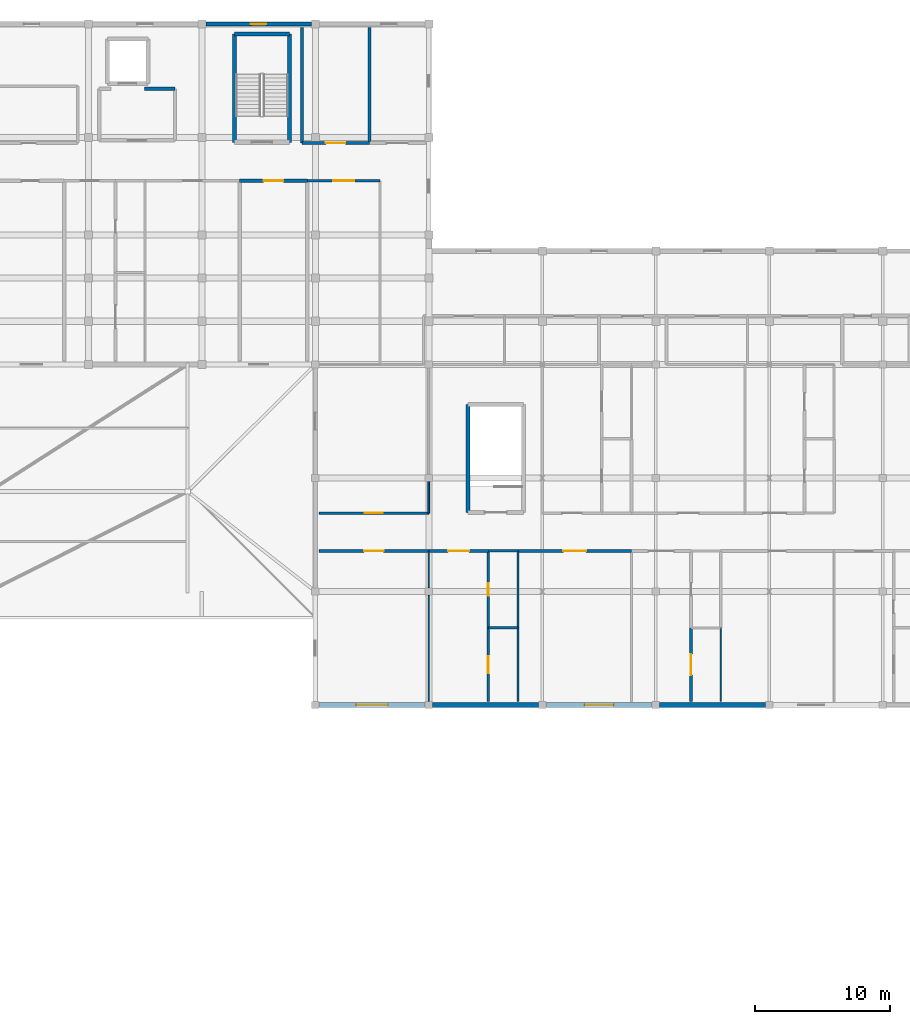
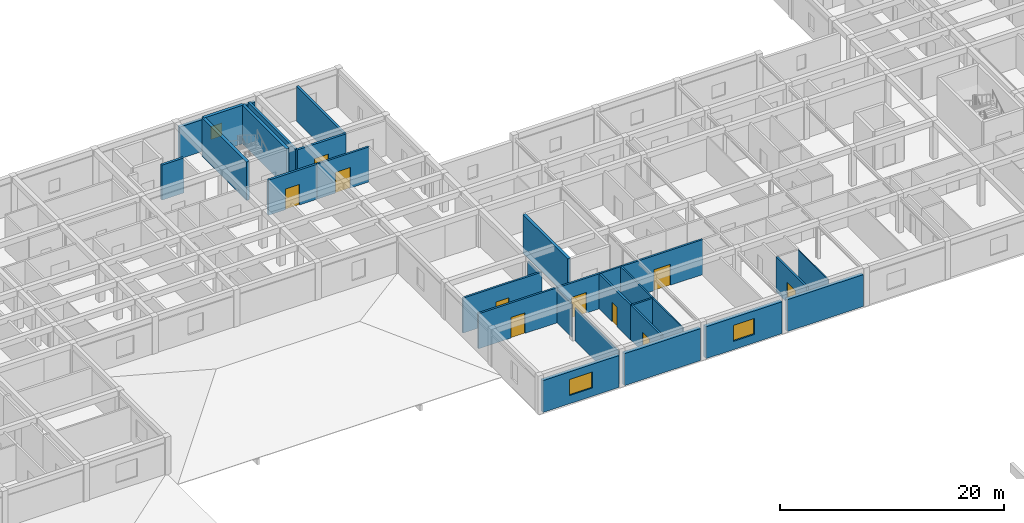
# One storey, part 18 of 42: 30 walls, 10 doors, 3 windows, 13 openings.
"""IFC4 building model written with IfcOpenShell, lengths in metres."""

from ifc_helpers import new_model, si_unit, direction, frame, frame_2d, origin, place, context, subcontext, project, spatial, rectangle, extrude, material, layer, layer_set, type_object, element, fill, save


model = new_model("IFC4")

# Units and contexts
model_context = context("Model", 3, precision=1e-05, world=origin(), true_north=direction((0.0, 1.0)))
body_context = subcontext(model_context, "Body", "Model", "MODEL_VIEW")
ifc_project = project(units=[si_unit("LENGTHUNIT", "METRE"), si_unit("AREAUNIT", "SQUARE_METRE"), si_unit("VOLUMEUNIT", "CUBIC_METRE"), si_unit("PLANEANGLEUNIT", "RADIAN"), si_unit("MASSUNIT", "GRAM", prefix="KILO")], contexts=[model_context])

# Site, building, storey
site_placement = place(None, origin())
site = spatial("IfcSite", under=ifc_project, at=site_placement, CompositionType="ELEMENT")
building_placement = place(site_placement, origin())
building = spatial("IfcBuilding", under=site, at=building_placement, Name="Varncliffe General Hospital", CompositionType="ELEMENT")
storey_placement = place(building_placement, frame((0.0, 0.0, 20.39990234375)))
storey = spatial("IfcBuildingStorey", under=building, at=storey_placement, Name="L04", CompositionType="ELEMENT", Elevation=20.39990234375)

# Wall, opening, window
ifc_material_1 = material(Name="Precast concrete C40/50 with insulated cream lime-cement stucco", Category="concrete")
ifc_layer_1 = layer(ifc_material_1, 0.31005859375)
ifc_layer_set_1 = layer_set([ifc_layer_1], Name="Precast concrete C40/50 with insulated cream lime-cement stucco")
wall_type_1 = type_object("IfcWallType", Name="Exterior Insulated Stucco Wall EW20 (310mm)", PredefinedType="SOLIDWALL", material=ifc_layer_set_1)
wall_1_placement = place(storey_placement, frame((50.697998046875, 124.800048828125, 0.0), z_axis=(0.0, 0.0, 1.0), x_axis=(1.0, 0.0, 0.0)))
wall_1 = element("IfcWall", 1, at=wall_1_placement, inside=storey, type_object=wall_type_1, Name="L04 Exterior Stucco Wall EW20-353", PredefinedType="SOLIDWALL", context=body_context, shape_type="SweptSolid", body=[
    extrude(rectangle(XDim=7.803955078125, YDim=0.31005859375, at=frame_2d((3.90185546875, 0.0))), origin(), (0.0, 0.0, 1.0), 3.47998046875),
])
opening_1_placement = place(wall_1_placement, frame((3.326904296875, 0.0, 0.89990234375)))
opening_1 = element("IfcOpeningElement", 2, at=opening_1_placement, cuts=wall_1, Name="Opening WN62", PredefinedType="OPENING", context=body_context, shape_type="SweptSolid", body=[
    extrude(rectangle(XDim=1.14990234375, YDim=1.39990234375, at=frame_2d((0.574951171875, 0.699951171875))), frame((0.0, 0.1650390625, 0.0), z_axis=(0.0, -1.0, 0.0), x_axis=(1.0, 0.0, 0.0)), (0.0, 0.0, 1.0), 0.330078125),
])
ifc_material_2 = material(Name="Triple low-E argon insulated vision glazing", Category="glass")
window_type_1 = type_object("IfcWindowType", Name="Triple-Glazed Hospital Window WN62 (1150x1400)", PartitioningType="SINGLE_PANEL", PredefinedType="WINDOW", material=ifc_material_2)
window_1_placement = place(opening_1_placement, origin())
window_1 = element("IfcWindow", 3, at=window_1_placement, inside=storey, type_object=window_type_1, Name="L04 Hospital Window WN62-263", OverallHeight=1.39990234375, OverallWidth=1.14990234375, PartitioningType="SINGLE_PANEL", PredefinedType="WINDOW", context=body_context, shape_type="SweptSolid", body=[
    extrude(rectangle(XDim=1.14990234375, YDim=1.39990234375, at=frame_2d((0.574951171875, 0.699951171875))), frame((0.0, 0.030029296875, 0.0), z_axis=(0.0, -1.0, 0.0), x_axis=(1.0, 0.0, 0.0)), (0.0, 0.0, 1.0), 0.06005859375),
])
fill(opening_1, window_1)

# Walls
ifc_layer_2 = layer(ifc_material_1, 0.3798828125)
ifc_layer_set_2 = layer_set([ifc_layer_2], Name="Precast concrete C40/50 with insulated cream lime-cement stucco")
wall_type_2 = type_object("IfcWallType", Name="Exterior Insulated Stucco Wall EW26 (380mm)", PredefinedType="SOLIDWALL", material=ifc_layer_set_2)
wall_2_placement = place(storey_placement, frame((75.326904296875, 74.39990234375, 0.0), z_axis=(0.0, 0.0, 1.0), x_axis=(-1.0, 0.0, 0.0)))
element("IfcWall", 4, at=wall_2_placement, inside=storey, type_object=wall_type_2, Name="L04 Exterior Stucco Wall EW26-326", PredefinedType="SOLIDWALL", context=body_context, shape_type="SweptSolid", body=[
    extrude(rectangle(XDim=7.85400390625, YDim=0.3798828125, at=frame_2d((3.927001953125, 0.0))), origin(), (0.0, 0.0, 1.0), 3.47998046875),
])
ifc_layer_3 = layer(ifc_material_1, 0.35009765625)
ifc_layer_set_3 = layer_set([ifc_layer_3], Name="Precast concrete C40/50 with insulated cream lime-cement stucco")
wall_type_3 = type_object("IfcWallType", Name="Exterior Insulated Stucco Wall EW37 (350mm)", PredefinedType="SOLIDWALL", material=ifc_layer_set_3)
wall_3_placement = place(storey_placement, frame((92.126953125, 74.39990234375, 0.0), z_axis=(0.0, 0.0, 1.0), x_axis=(-1.0, 0.0, 0.0)))
element("IfcWall", 5, at=wall_3_placement, inside=storey, type_object=wall_type_3, Name="L04 Exterior Stucco Wall EW37-324", PredefinedType="SOLIDWALL", context=body_context, shape_type="SweptSolid", body=[
    extrude(rectangle(XDim=7.85400390625, YDim=0.35009765625, at=frame_2d((3.927001953125, 0.0))), origin(), (0.0, 0.0, 1.0), 3.47998046875),
])

# Wall, opening, window
wall_4_placement = place(storey_placement, frame((66.927001953125, 74.39990234375, 0.0), z_axis=(0.0, 0.0, 1.0), x_axis=(-1.0, 0.0, 0.0)))
wall_4 = element("IfcWall", 6, at=wall_4_placement, inside=storey, type_object=wall_type_3, Name="L04 Exterior Stucco Wall EW37-327", PredefinedType="SOLIDWALL", context=body_context, shape_type="SweptSolid", body=[
    extrude(rectangle(XDim=7.85400390625, YDim=0.35009765625, at=frame_2d((3.927001953125, 0.0))), origin(), (0.0, 0.0, 1.0), 3.47998046875),
])
opening_2_placement = place(wall_4_placement, frame((2.751953125, 0.0, 0.89990234375)))
opening_2 = element("IfcOpeningElement", 7, at=opening_2_placement, cuts=wall_4, Name="Opening WN31", PredefinedType="OPENING", context=body_context, shape_type="SweptSolid", body=[
    extrude(rectangle(XDim=2.35009765625, YDim=1.75, at=frame_2d((1.175048828125, 0.875))), frame((0.0, 0.18505859375, 0.0), z_axis=(0.0, -1.0, 0.0), x_axis=(1.0, 0.0, 0.0)), (0.0, 0.0, 1.0), 0.3701171875),
])
window_type_2 = type_object("IfcWindowType", Name="Triple-Glazed Hospital Window WN31 (2350x1750)", PartitioningType="DOUBLE_PANEL_VERTICAL", PredefinedType="WINDOW", material=ifc_material_2)
window_2_placement = place(opening_2_placement, origin())
window_2 = element("IfcWindow", 8, at=window_2_placement, inside=storey, type_object=window_type_2, Name="L04 Hospital Window WN31-243", OverallHeight=1.75, OverallWidth=2.35009765625, PartitioningType="DOUBLE_PANEL_VERTICAL", PredefinedType="WINDOW", context=body_context, shape_type="SweptSolid", body=[
    extrude(rectangle(XDim=2.35009765625, YDim=1.75, at=frame_2d((1.175048828125, 0.875))), frame((0.0, 0.030029296875, 0.0), z_axis=(0.0, -1.0, 0.0), x_axis=(1.0, 0.0, 0.0)), (0.0, 0.0, 1.0), 0.06005859375),
])
fill(opening_2, window_2)

ifc_layer_4 = layer(ifc_material_1, 0.39990234375)
ifc_layer_set_4 = layer_set([ifc_layer_4], Name="Precast concrete C40/50 with insulated cream lime-cement stucco")
wall_type_4 = type_object("IfcWallType", Name="Exterior Insulated Stucco Wall EW47 (400mm)", PredefinedType="SOLIDWALL", material=ifc_layer_set_4)
wall_5_placement = place(storey_placement, frame((83.72705078125, 74.39990234375, 0.0), z_axis=(0.0, 0.0, 1.0), x_axis=(-1.0, 0.0, 0.0)))
wall_5 = element("IfcWall", 9, at=wall_5_placement, inside=storey, type_object=wall_type_4, Name="L04 Exterior Stucco Wall EW47-325", PredefinedType="SOLIDWALL", context=body_context, shape_type="SweptSolid", body=[
    extrude(rectangle(XDim=7.85400390625, YDim=0.39990234375, at=frame_2d((3.927001953125, 0.0))), origin(), (0.0, 0.0, 1.0), 3.47998046875),
])
opening_3_placement = place(wall_5_placement, frame((2.85205078125, 0.0, 0.89990234375)))
opening_3 = element("IfcOpeningElement", 10, at=opening_3_placement, cuts=wall_5, Name="Opening WN63", PredefinedType="OPENING", context=body_context, shape_type="SweptSolid", body=[
    extrude(rectangle(XDim=2.14990234375, YDim=1.75, at=frame_2d((1.074951171875, 0.875))), frame((0.0, 0.2099609375, 0.0), z_axis=(0.0, -1.0, 0.0), x_axis=(1.0, 0.0, 0.0)), (0.0, 0.0, 1.0), 0.419921875),
])
window_type_3 = type_object("IfcWindowType", Name="Triple-Glazed Hospital Window WN63 (2150x1750)", PartitioningType="DOUBLE_PANEL_VERTICAL", PredefinedType="WINDOW", material=ifc_material_2)
window_3_placement = place(opening_3_placement, origin())
window_3 = element("IfcWindow", 11, at=window_3_placement, inside=storey, type_object=window_type_3, Name="L04 Hospital Window WN63-242", OverallHeight=1.75, OverallWidth=2.14990234375, PartitioningType="DOUBLE_PANEL_VERTICAL", PredefinedType="WINDOW", context=body_context, shape_type="SweptSolid", body=[
    extrude(rectangle(XDim=2.14990234375, YDim=1.75, at=frame_2d((1.074951171875, 0.875))), frame((0.0, 0.030029296875, 0.0), z_axis=(0.0, -1.0, 0.0), x_axis=(1.0, 0.0, 0.0)), (0.0, 0.0, 1.0), 0.06005859375),
])
fill(opening_3, window_3)

# Walls
ifc_material_3 = material(Name="Acoustic clinical gypsum stud partition assembly", Category="gypsum")
ifc_layer_5 = layer(ifc_material_3, 0.1298828125)
ifc_layer_set_5 = layer_set([ifc_layer_5], Name="Acoustic clinical gypsum stud partition assembly")
wall_type_5 = type_object("IfcWallType", Name="Interior Partitioning IW11 (130mm)", PredefinedType="PARTITIONING", material=ifc_layer_set_5)
wall_6_placement = place(storey_placement, frame((67.199951171875, 88.60009765625, 0.0), z_axis=(0.0, 0.0, 1.0), x_axis=(0.0, 1.0, 0.0)))
element("IfcWall", 12, at=wall_6_placement, inside=storey, type_object=wall_type_5, Name="L04 Interior Partition Wall IW11-1884", PredefinedType="PARTITIONING", context=body_context, shape_type="SweptSolid", body=[
    extrude(rectangle(XDim=2.309814453125, YDim=0.1298828125, at=frame_2d((1.15478515625, 0.0))), origin(), (0.0, 0.0, 1.0), 3.585205078125),
])
wall_7_placement = place(storey_placement, frame((73.800048828125, 74.659912109375, 0.0), z_axis=(0.0, 0.0, 1.0), x_axis=(0.0, 1.0, 0.0)))
element("IfcWall", 13, at=wall_7_placement, inside=storey, type_object=wall_type_5, Name="L04 Interior Partition Wall IW11-1888", PredefinedType="PARTITIONING", context=body_context, shape_type="SweptSolid", body=[
    extrude(rectangle(XDim=5.440185546875, YDim=0.1298828125, at=frame_2d((2.72021484375, 0.0))), origin(), (0.0, 0.0, 1.0), 3.820068359375),
])
ifc_layer_6 = layer(ifc_material_3, 0.090087890625)
ifc_layer_set_6 = layer_set([ifc_layer_6], Name="Acoustic clinical gypsum stud partition assembly")
wall_type_6 = type_object("IfcWallType", Name="Interior Partitioning IW42 (90mm)", PredefinedType="PARTITIONING", material=ifc_layer_set_6)
wall_8_placement = place(storey_placement, frame((67.199951171875, 74.68994140625, 0.0), z_axis=(0.0, 0.0, 1.0), x_axis=(0.0, 1.0, 0.0)))
element("IfcWall", 14, at=wall_8_placement, inside=storey, type_object=wall_type_6, Name="L04 Interior Partition Wall IW42-1881", PredefinedType="PARTITIONING", context=body_context, shape_type="SweptSolid", body=[
    extrude(rectangle(XDim=7.820068359375, YDim=0.090087890625, at=frame_2d((3.91015625, 0.0))), origin(), (0.0, 0.0, 1.0), 3.585205078125),
])
wall_9_placement = place(storey_placement, frame((67.199951171875, 83.090087890625, 0.0), z_axis=(0.0, 0.0, 1.0), x_axis=(0.0, 1.0, 0.0)))
element("IfcWall", 15, at=wall_9_placement, inside=storey, type_object=wall_type_6, Name="L04 Interior Partition Wall IW42-1882", PredefinedType="PARTITIONING", context=body_context, shape_type="SweptSolid", body=[
    extrude(rectangle(XDim=2.7099609375, YDim=0.090087890625, at=frame_2d((1.35498046875, 0.0))), origin(), (0.0, 0.0, 1.0), 3.585205078125),
])
wall_10_placement = place(storey_placement, frame((88.800048828125, 74.659912109375, 0.0), z_axis=(0.0, 0.0, 1.0), x_axis=(0.0, 1.0, 0.0)))
element("IfcWall", 16, at=wall_10_placement, inside=storey, type_object=wall_type_6, Name="L04 Interior Partition Wall IW42-1901", PredefinedType="PARTITIONING", context=body_context, shape_type="SweptSolid", body=[
    extrude(rectangle(XDim=5.440185546875, YDim=0.090087890625, at=frame_2d((2.72021484375, 0.0))), origin(), (0.0, 0.0, 1.0), 3.820068359375),
])
ifc_material_4 = material(Name="Fire-rated gypsum and mineral-wool partition assembly", Category="gypsum")
ifc_layer_7 = layer(ifc_material_4, 0.25)
ifc_layer_set_7 = layer_set([ifc_layer_7], Name="Fire-rated gypsum and mineral-wool partition assembly")
wall_type_7 = type_object("IfcWallType", Name="Interior Partitioning PW38 (250mm)", PredefinedType="PARTITIONING", material=ifc_layer_set_7)
wall_11_placement = place(storey_placement, frame((46.135986328125, 120.0, 0.0), z_axis=(0.0, 0.0, 1.0), x_axis=(1.0, 0.0, 0.0)))
element("IfcWall", 17, at=wall_11_placement, inside=storey, type_object=wall_type_7, Name="L04 Interior Partition Wall PW38-1829", PredefinedType="PARTITIONING", context=body_context, shape_type="SweptSolid", body=[
    extrude(rectangle(XDim=2.263916015625, YDim=0.25, at=frame_2d((1.1318359375, 0.0))), origin(), (0.0, 0.0, 1.0), 3.820068359375),
])

# Wall, opening, door
ifc_layer_8 = layer(ifc_material_4, 0.22998046875)
ifc_layer_set_8 = layer_set([ifc_layer_8], Name="Fire-rated gypsum and mineral-wool partition assembly")
wall_type_8 = type_object("IfcWallType", Name="Interior Partitioning PW48 (230mm)", PredefinedType="PARTITIONING", material=ifc_layer_set_8)
wall_12_placement = place(storey_placement, frame((53.199951171875, 113.199951171875, 0.0), z_axis=(0.0, 0.0, 1.0), x_axis=(1.0, 0.0, 0.0)))
wall_12 = element("IfcWall", 18, at=wall_12_placement, inside=storey, type_object=wall_type_8, Name="L04 Interior Partition Wall PW48-1796", PredefinedType="PARTITIONING", context=body_context, shape_type="SweptSolid", body=[
    extrude(rectangle(XDim=5.0, YDim=0.22998046875, at=frame_2d((2.5, 0.0))), origin(), (0.0, 0.0, 1.0), 3.820068359375),
])
opening_4_placement = place(wall_12_placement, frame((1.77490234375, 0.0, 0.0)))
opening_4 = element("IfcOpeningElement", 19, at=opening_4_placement, cuts=wall_12, Name="Opening DC66", PredefinedType="OPENING", context=body_context, shape_type="SweptSolid", body=[
    extrude(rectangle(XDim=1.449951171875, YDim=2.25, at=frame_2d((0.72509765625, 1.125))), frame((0.0, 0.125, 0.0), z_axis=(0.0, -1.0, 0.0), x_axis=(1.0, 0.0, 0.0)), (0.0, 0.0, 1.0), 0.25),
])
ifc_material_5 = material(Name="Fire-rated hospital steel-frame vision-panel door", Category="steel")
door_type_1 = type_object("IfcDoorType", Name="Interior Hospital Door DC66 (1450x2250)", OperationType="NOTDEFINED", PredefinedType="DOOR", material=ifc_material_5)
door_1_placement = place(opening_4_placement, frame((1.449951171875, 0.0, 0.0), z_axis=(0.0, 0.0, 1.0), x_axis=(-1.0, 0.0, 0.0)))
door_1 = element("IfcDoor", 20, at=door_1_placement, inside=storey, type_object=door_type_1, Name="L04 Ward Soiled Utility Store 93 Door", OperationType="SINGLE_SWING_LEFT", OverallHeight=2.25, OverallWidth=1.449951171875, PredefinedType="DOOR", context=body_context, shape_type="SweptSolid", body=[
    extrude(rectangle(XDim=1.449951171875, YDim=2.25, at=frame_2d((0.72509765625, 1.125))), frame((0.0, 0.02490234375, 0.0), z_axis=(0.0, -1.0, 0.0), x_axis=(1.0, 0.0, 0.0)), (0.0, 0.0, 1.0), 0.050048828125),
])
fill(opening_4, door_1)

wall_13_placement = place(storey_placement, frame((57.800048828125, 116.0, 0.0), z_axis=(0.0, 0.0, 1.0), x_axis=(1.0, 0.0, 0.0)))
wall_13 = element("IfcWall", 21, at=wall_13_placement, inside=storey, type_object=wall_type_8, Name="L04 Interior Partition Wall PW48-1814", PredefinedType="PARTITIONING", context=body_context, shape_type="SweptSolid", body=[
    extrude(rectangle(XDim=5.0, YDim=0.22998046875, at=frame_2d((2.5, 0.0))), origin(), (0.0, 0.0, 1.0), 3.820068359375),
])
opening_5_placement = place(wall_13_placement, frame((1.77490234375, 0.0, 0.0)))
opening_5 = element("IfcOpeningElement", 22, at=opening_5_placement, cuts=wall_13, Name="Opening DC66", PredefinedType="OPENING", context=body_context, shape_type="SweptSolid", body=[
    extrude(rectangle(XDim=1.449951171875, YDim=2.25, at=frame_2d((0.72509765625, 1.125))), frame((0.0, 0.125, 0.0), z_axis=(0.0, -1.0, 0.0), x_axis=(1.0, 0.0, 0.0)), (0.0, 0.0, 1.0), 0.25),
])
door_2_placement = place(opening_5_placement, origin())
door_2 = element("IfcDoor", 23, at=door_2_placement, inside=storey, type_object=door_type_1, Name="L04 Ward Soiled Utility Store 113 Door", OperationType="SINGLE_SWING_LEFT", OverallHeight=2.25, OverallWidth=1.449951171875, PredefinedType="DOOR", context=body_context, shape_type="SweptSolid", body=[
    extrude(rectangle(XDim=1.449951171875, YDim=2.25, at=frame_2d((0.72509765625, 1.125))), frame((0.0, 0.02490234375, 0.0), z_axis=(0.0, -1.0, 0.0), x_axis=(1.0, 0.0, 0.0)), (0.0, 0.0, 1.0), 0.050048828125),
])
fill(opening_5, door_2)

# Walls
for number, where, z_axis, x_axis, name in (
    (24, (57.800048828125, 116.0, 0.0), (0.0, 0.0, 1.0), (0.0, 1.0, 0.0), "L04 Interior Partition Wall PW48-1876"),
    (25, (62.800048828125, 116.0, 0.0), (0.0, 0.0, 1.0), (0.0, 1.0, 0.0), "L04 Interior Partition Wall PW48-1878"),
):
    element("IfcWall", number, at=place(storey_placement, frame(where, z_axis=z_axis, x_axis=x_axis)), inside=storey, type_object=wall_type_8, Name=name, PredefinedType="PARTITIONING", context=body_context, shape_type="SweptSolid", body=[
        extrude(rectangle(XDim=8.5400390625, YDim=0.22998046875, at=frame_2d((4.27001953125, 0.0))), origin(), (0.0, 0.0, 1.0), 3.820068359375),
    ])

# Wall, opening, door
ifc_layer_9 = layer(ifc_material_4, 0.199951171875)
ifc_layer_set_9 = layer_set([ifc_layer_9], Name="Fire-rated gypsum and mineral-wool partition assembly")
wall_type_9 = type_object("IfcWallType", Name="Interior Partitioning PW63 (200mm)", PredefinedType="PARTITIONING", material=ifc_layer_set_9)
wall_14_placement = place(storey_placement, frame((59.06005859375, 85.800048828125, 0.0), z_axis=(0.0, 0.0, 1.0), x_axis=(1.0, 0.0, 0.0)))
wall_14 = element("IfcWall", 26, at=wall_14_placement, inside=storey, type_object=wall_type_9, Name="L04 Interior Partition Wall PW63-1698", PredefinedType="PARTITIONING", context=body_context, shape_type="SweptSolid", body=[
    extrude(rectangle(XDim=8.139892578125, YDim=0.199951171875, at=frame_2d((4.06982421875, 0.0))), origin(), (0.0, 0.0, 1.0), 3.820068359375),
])
opening_6_placement = place(wall_14_placement, frame((3.344970703125, 0.0, 0.0)))
opening_6 = element("IfcOpeningElement", 27, at=opening_6_placement, cuts=wall_14, Name="Opening DC66", PredefinedType="OPENING", context=body_context, shape_type="SweptSolid", body=[
    extrude(rectangle(XDim=1.449951171875, YDim=2.25, at=frame_2d((0.72509765625, 1.125))), frame((0.0, 0.10986328125, 0.0), z_axis=(0.0, -1.0, 0.0), x_axis=(1.0, 0.0, 0.0)), (0.0, 0.0, 1.0), 0.219970703125),
])
door_3_placement = place(opening_6_placement, frame((1.449951171875, 0.0, 0.0), z_axis=(0.0, 0.0, 1.0), x_axis=(-1.0, 0.0, 0.0)))
door_3 = element("IfcDoor", 28, at=door_3_placement, inside=storey, type_object=door_type_1, Name="L04 Perinatal Caesarean Surgical Theatre 29 Door", OperationType="SINGLE_SWING_RIGHT", OverallHeight=2.25, OverallWidth=1.449951171875, PredefinedType="DOOR", context=body_context, shape_type="SweptSolid", body=[
    extrude(rectangle(XDim=1.449951171875, YDim=2.25, at=frame_2d((0.72509765625, 1.125))), frame((0.0, 0.02490234375, 0.0), z_axis=(0.0, -1.0, 0.0), x_axis=(1.0, 0.0, 0.0)), (0.0, 0.0, 1.0), 0.050048828125),
])
fill(opening_6, door_3)

wall_15_placement = place(storey_placement, frame((67.199951171875, 85.800048828125, 0.0), z_axis=(0.0, 0.0, 1.0), x_axis=(1.0, 0.0, 0.0)))
wall_15 = element("IfcWall", 29, at=wall_15_placement, inside=storey, type_object=wall_type_9, Name="L04 Interior Partition Wall PW63-1699", PredefinedType="PARTITIONING", context=body_context, shape_type="SweptSolid", body=[
    extrude(rectangle(XDim=4.400146484375, YDim=0.199951171875, at=frame_2d((2.2001953125, 0.0))), origin(), (0.0, 0.0, 1.0), 3.820068359375),
])
opening_7_placement = place(wall_15_placement, frame((1.425048828125, 0.0, 0.0)))
opening_7 = element("IfcOpeningElement", 30, at=opening_7_placement, cuts=wall_15, Name="Opening DC67", PredefinedType="OPENING", context=body_context, shape_type="SweptSolid", body=[
    extrude(rectangle(XDim=1.550048828125, YDim=2.25, at=frame_2d((0.77490234375, 1.125))), frame((0.0, 0.10986328125, 0.0), z_axis=(0.0, -1.0, 0.0), x_axis=(1.0, 0.0, 0.0)), (0.0, 0.0, 1.0), 0.219970703125),
])
door_type_2 = type_object("IfcDoorType", Name="Interior Hospital Door DC67 (1550x2250)", OperationType="NOTDEFINED", PredefinedType="DOOR", material=ifc_material_5)
door_4_placement = place(opening_7_placement, frame((1.550048828125, 0.0, 0.0), z_axis=(0.0, 0.0, 1.0), x_axis=(-1.0, 0.0, 0.0)))
door_4 = element("IfcDoor", 31, at=door_4_placement, inside=storey, type_object=door_type_2, Name="L04 Interventional Short-Stay Recovery Room 30 Door", OperationType="SINGLE_SWING_LEFT", OverallHeight=2.25, OverallWidth=1.550048828125, PredefinedType="DOOR", context=body_context, shape_type="SweptSolid", body=[
    extrude(rectangle(XDim=1.550048828125, YDim=2.25, at=frame_2d((0.77490234375, 1.125))), frame((0.0, 0.02490234375, 0.0), z_axis=(0.0, -1.0, 0.0), x_axis=(1.0, 0.0, 0.0)), (0.0, 0.0, 1.0), 0.050048828125),
])
fill(opening_7, door_4)

wall_16_placement = place(storey_placement, frame((73.800048828125, 85.800048828125, 0.0), z_axis=(0.0, 0.0, 1.0), x_axis=(1.0, 0.0, 0.0)))
wall_16 = element("IfcWall", 32, at=wall_16_placement, inside=storey, type_object=wall_type_9, Name="L04 Interior Partition Wall PW63-1701", PredefinedType="PARTITIONING", context=body_context, shape_type="SweptSolid", body=[
    extrude(rectangle(XDim=8.39990234375, YDim=0.199951171875, at=frame_2d((4.199951171875, 0.0))), origin(), (0.0, 0.0, 1.0), 3.820068359375),
])
opening_8_placement = place(wall_16_placement, frame((3.35009765625, 0.0, 0.0)))
opening_8 = element("IfcOpeningElement", 33, at=opening_8_placement, cuts=wall_16, Name="Opening DC50", PredefinedType="OPENING", context=body_context, shape_type="SweptSolid", body=[
    extrude(rectangle(XDim=1.699951171875, YDim=2.300048828125, at=frame_2d((0.85009765625, 1.14990234375))), frame((0.0, 0.10986328125, 0.0), z_axis=(0.0, -1.0, 0.0), x_axis=(1.0, 0.0, 0.0)), (0.0, 0.0, 1.0), 0.219970703125),
])
door_type_3 = type_object("IfcDoorType", Name="Interior Hospital Door DC50 (1700x2300)", OperationType="NOTDEFINED", PredefinedType="DOOR", material=ifc_material_5)
door_5_placement = place(opening_8_placement, frame((1.699951171875, 0.0, 0.0), z_axis=(0.0, 0.0, 1.0), x_axis=(-1.0, 0.0, 0.0)))
door_5 = element("IfcDoor", 34, at=door_5_placement, inside=storey, type_object=door_type_3, Name="L04 Perinatal Caesarean Surgical Theatre 33 Door", OperationType="SINGLE_SWING_RIGHT", OverallHeight=2.300048828125, OverallWidth=1.699951171875, PredefinedType="DOOR", context=body_context, shape_type="SweptSolid", body=[
    extrude(rectangle(XDim=1.699951171875, YDim=2.300048828125, at=frame_2d((0.85009765625, 1.14990234375))), frame((0.0, 0.02490234375, 0.0), z_axis=(0.0, -1.0, 0.0), x_axis=(1.0, 0.0, 0.0)), (0.0, 0.0, 1.0), 0.050048828125),
])
fill(opening_8, door_5)

wall_17_placement = place(storey_placement, frame((59.06005859375, 88.60009765625, 0.0), z_axis=(0.0, 0.0, 1.0), x_axis=(1.0, 0.0, 0.0)))
wall_17 = element("IfcWall", 35, at=wall_17_placement, inside=storey, type_object=wall_type_9, Name="L04 Interior Partition Wall PW63-1714", PredefinedType="PARTITIONING", context=body_context, shape_type="SweptSolid", body=[
    extrude(rectangle(XDim=8.139892578125, YDim=0.199951171875, at=frame_2d((4.06982421875, 0.0))), origin(), (0.0, 0.0, 1.0), 3.820068359375),
])
opening_9_placement = place(wall_17_placement, frame((3.39501953125, 0.0, 0.0)))
opening_9 = element("IfcOpeningElement", 36, at=opening_9_placement, cuts=wall_17, Name="Opening DC85", PredefinedType="OPENING", context=body_context, shape_type="SweptSolid", body=[
    extrude(rectangle(XDim=1.35009765625, YDim=2.199951171875, at=frame_2d((0.675048828125, 1.10009765625))), frame((0.0, 0.10986328125, 0.0), z_axis=(0.0, -1.0, 0.0), x_axis=(1.0, 0.0, 0.0)), (0.0, 0.0, 1.0), 0.219970703125),
])
door_type_4 = type_object("IfcDoorType", Name="Interior Hospital Door DC85 (1350x2200)", OperationType="NOTDEFINED", PredefinedType="DOOR", material=ifc_material_5)
door_6_placement = place(opening_9_placement, origin())
door_6 = element("IfcDoor", 37, at=door_6_placement, inside=storey, type_object=door_type_4, Name="L04 Perinatal Caesarean Surgical Theatre 48 Door", OperationType="SINGLE_SWING_LEFT", OverallHeight=2.199951171875, OverallWidth=1.35009765625, PredefinedType="DOOR", context=body_context, shape_type="SweptSolid", body=[
    extrude(rectangle(XDim=1.35009765625, YDim=2.199951171875, at=frame_2d((0.675048828125, 1.10009765625))), frame((0.0, 0.02490234375, 0.0), z_axis=(0.0, -1.0, 0.0), x_axis=(1.0, 0.0, 0.0)), (0.0, 0.0, 1.0), 0.050048828125),
])
fill(opening_9, door_6)

wall_18_placement = place(storey_placement, frame((58.199951171875, 113.199951171875, 0.0), z_axis=(0.0, 0.0, 1.0), x_axis=(1.0, 0.0, 0.0)))
wall_18 = element("IfcWall", 38, at=wall_18_placement, inside=storey, type_object=wall_type_9, Name="L04 Interior Partition Wall PW63-1797", PredefinedType="PARTITIONING", context=body_context, shape_type="SweptSolid", body=[
    extrude(rectangle(XDim=5.400146484375, YDim=0.199951171875, at=frame_2d((2.7001953125, 0.0))), origin(), (0.0, 0.0, 1.0), 3.820068359375),
])
opening_10_placement = place(wall_18_placement, frame((1.925048828125, 0.0, 0.0)))
opening_10 = element("IfcOpeningElement", 39, at=opening_10_placement, cuts=wall_18, Name="Opening DC67", PredefinedType="OPENING", context=body_context, shape_type="SweptSolid", body=[
    extrude(rectangle(XDim=1.550048828125, YDim=2.25, at=frame_2d((0.77490234375, 1.125))), frame((0.0, 0.10986328125, 0.0), z_axis=(0.0, -1.0, 0.0), x_axis=(1.0, 0.0, 0.0)), (0.0, 0.0, 1.0), 0.219970703125),
])
door_7_placement = place(opening_10_placement, frame((1.550048828125, 0.0, 0.0), z_axis=(0.0, 0.0, 1.0), x_axis=(-1.0, 0.0, 0.0)))
door_7 = element("IfcDoor", 40, at=door_7_placement, inside=storey, type_object=door_type_2, Name="L04 Cardiology Telemetry Inpatient Room 94 Door", OperationType="SINGLE_SWING_RIGHT", OverallHeight=2.25, OverallWidth=1.550048828125, PredefinedType="DOOR", context=body_context, shape_type="SweptSolid", body=[
    extrude(rectangle(XDim=1.550048828125, YDim=2.25, at=frame_2d((0.77490234375, 1.125))), frame((0.0, 0.02490234375, 0.0), z_axis=(0.0, -1.0, 0.0), x_axis=(1.0, 0.0, 0.0)), (0.0, 0.0, 1.0), 0.050048828125),
])
fill(opening_10, door_7)

wall_19_placement = place(storey_placement, frame((71.60009765625, 74.659912109375, 0.0), z_axis=(0.0, 0.0, 1.0), x_axis=(0.0, 1.0, 0.0)))
wall_19 = element("IfcWall", 41, at=wall_19_placement, inside=storey, type_object=wall_type_9, Name="L04 Interior Partition Wall PW63-1885", PredefinedType="PARTITIONING", context=body_context, shape_type="SweptSolid", body=[
    extrude(rectangle(XDim=5.440185546875, YDim=0.199951171875, at=frame_2d((2.72021484375, 0.0))), origin(), (0.0, 0.0, 1.0), 3.820068359375),
])
opening_11_placement = place(wall_19_placement, frame((2.094970703125, 0.0, 0.0)))
opening_11 = element("IfcOpeningElement", 42, at=opening_11_placement, cuts=wall_19, Name="Opening DC44", PredefinedType="OPENING", context=body_context, shape_type="SweptSolid", body=[
    extrude(rectangle(XDim=1.25, YDim=2.14990234375, at=frame_2d((0.625, 1.074951171875))), frame((0.0, 0.10986328125, 0.0), z_axis=(0.0, -1.0, 0.0), x_axis=(1.0, 0.0, 0.0)), (0.0, 0.0, 1.0), 0.219970703125),
])
door_type_5 = type_object("IfcDoorType", Name="Interior Hospital Door DC44 (1250x2150)", OperationType="NOTDEFINED", PredefinedType="DOOR", material=ifc_material_5)
door_8_placement = place(opening_11_placement, frame((1.25, 0.0, 0.0), z_axis=(0.0, 0.0, 1.0), x_axis=(-1.0, 0.0, 0.0)))
door_8 = element("IfcDoor", 43, at=door_8_placement, inside=storey, type_object=door_type_5, Name="L04 Patient Medication and Hygiene Bay 32 Door", OperationType="SINGLE_SWING_RIGHT", OverallHeight=2.14990234375, OverallWidth=1.25, PredefinedType="DOOR", context=body_context, shape_type="SweptSolid", body=[
    extrude(rectangle(XDim=1.25, YDim=2.14990234375, at=frame_2d((0.625, 1.074951171875))), frame((0.0, 0.02490234375, 0.0), z_axis=(0.0, -1.0, 0.0), x_axis=(1.0, 0.0, 0.0)), (0.0, 0.0, 1.0), 0.050048828125),
])
fill(opening_11, door_8)

wall_20_placement = place(storey_placement, frame((71.60009765625, 80.10009765625, 0.0), z_axis=(0.0, 0.0, 1.0), x_axis=(0.0, 1.0, 0.0)))
wall_20 = element("IfcWall", 44, at=wall_20_placement, inside=storey, type_object=wall_type_9, Name="L04 Interior Partition Wall PW63-1886", PredefinedType="PARTITIONING", context=body_context, shape_type="SweptSolid", body=[
    extrude(rectangle(XDim=5.699951171875, YDim=0.199951171875, at=frame_2d((2.85009765625, 0.0))), origin(), (0.0, 0.0, 1.0), 3.820068359375),
])
opening_12_placement = place(wall_20_placement, frame((2.389892578125, 0.0, 0.0)))
opening_12 = element("IfcOpeningElement", 45, at=opening_12_placement, cuts=wall_20, Name="Opening DI70", PredefinedType="OPENING", context=body_context, shape_type="SweptSolid", body=[
    extrude(rectangle(XDim=0.919921875, YDim=2.10009765625, at=frame_2d((0.4599609375, 1.050048828125))), frame((0.0, 0.10986328125, 0.0), z_axis=(0.0, -1.0, 0.0), x_axis=(1.0, 0.0, 0.0)), (0.0, 0.0, 1.0), 0.219970703125),
])
ifc_material_6 = material(Name="Solid-core antimicrobial hospital oak veneer door", Category="wood")
door_type_6 = type_object("IfcDoorType", Name="Interior Hospital Door DI70 (920x2100)", OperationType="NOTDEFINED", PredefinedType="DOOR", material=ifc_material_6)
door_9_placement = place(opening_12_placement, frame((0.919921875, 0.0, 0.0), z_axis=(0.0, 0.0, 1.0), x_axis=(-1.0, 0.0, 0.0)))
door_9 = element("IfcDoor", 46, at=door_9_placement, inside=storey, type_object=door_type_6, Name="L04 En-Suite Bathroom 31 Door", OperationType="SINGLE_SWING_LEFT", OverallHeight=2.10009765625, OverallWidth=0.919921875, PredefinedType="DOOR", context=body_context, shape_type="SweptSolid", body=[
    extrude(rectangle(XDim=0.919921875, YDim=2.10009765625, at=frame_2d((0.4599609375, 1.050048828125))), frame((0.0, 0.02490234375, 0.0), z_axis=(0.0, -1.0, 0.0), x_axis=(1.0, 0.0, 0.0)), (0.0, 0.0, 1.0), 0.050048828125),
])
fill(opening_12, door_9)

wall_21_placement = place(storey_placement, frame((86.60009765625, 74.659912109375, 0.0), z_axis=(0.0, 0.0, 1.0), x_axis=(0.0, 1.0, 0.0)))
wall_21 = element("IfcWall", 47, at=wall_21_placement, inside=storey, type_object=wall_type_9, Name="L04 Interior Partition Wall PW63-1899", PredefinedType="PARTITIONING", context=body_context, shape_type="SweptSolid", body=[
    extrude(rectangle(XDim=5.440185546875, YDim=0.199951171875, at=frame_2d((2.72021484375, 0.0))), origin(), (0.0, 0.0, 1.0), 3.820068359375),
])
opening_13_placement = place(wall_21_placement, frame((1.945068359375, 0.0, 0.0)))
opening_13 = element("IfcOpeningElement", 48, at=opening_13_placement, cuts=wall_21, Name="Opening DC67", PredefinedType="OPENING", context=body_context, shape_type="SweptSolid", body=[
    extrude(rectangle(XDim=1.550048828125, YDim=2.25, at=frame_2d((0.77490234375, 1.125))), frame((0.0, 0.10986328125, 0.0), z_axis=(0.0, -1.0, 0.0), x_axis=(1.0, 0.0, 0.0)), (0.0, 0.0, 1.0), 0.219970703125),
])
door_10_placement = place(opening_13_placement, frame((1.550048828125, 0.0, 0.0), z_axis=(0.0, 0.0, 1.0), x_axis=(-1.0, 0.0, 0.0)))
door_10 = element("IfcDoor", 49, at=door_10_placement, inside=storey, type_object=door_type_2, Name="L04 Patient Medication and Hygiene Bay 36 Door", OperationType="SINGLE_SWING_RIGHT", OverallHeight=2.25, OverallWidth=1.550048828125, PredefinedType="DOOR", context=body_context, shape_type="SweptSolid", body=[
    extrude(rectangle(XDim=1.550048828125, YDim=2.25, at=frame_2d((0.77490234375, 1.125))), frame((0.0, 0.02490234375, 0.0), z_axis=(0.0, -1.0, 0.0), x_axis=(1.0, 0.0, 0.0)), (0.0, 0.0, 1.0), 0.050048828125),
])
fill(opening_13, door_10)

# Walls
ifc_material_7 = material(Name="Moisture-resistant plumbing chase wall assembly", Category="gypsum")
ifc_layer_10 = layer(ifc_material_7, 0.18994140625)
ifc_layer_set_10 = layer_set([ifc_layer_10], Name="Moisture-resistant plumbing chase wall assembly")
wall_type_10 = type_object("IfcWallType", Name="Interior Plumbingwall MW17 (190mm)", PredefinedType="PLUMBINGWALL", material=ifc_layer_set_10)
for number, where, z_axis, x_axis, name in (
    (50, (71.60009765625, 80.10009765625, 0.0), (0.0, 0.0, 1.0), (1.0, 0.0, 0.0), "L04 Interior Plumbing Wall MW17-1692"),
    (51, (71.60009765625, 85.800048828125, 0.0), (0.0, 0.0, 1.0), (1.0, 0.0, 0.0), "L04 Interior Plumbing Wall MW17-1700"),
):
    element("IfcWall", number, at=place(storey_placement, frame(where, z_axis=z_axis, x_axis=x_axis)), inside=storey, type_object=wall_type_10, Name=name, PredefinedType="PLUMBINGWALL", context=body_context, shape_type="SweptSolid", body=[
        extrude(rectangle(XDim=2.199951171875, YDim=0.18994140625, at=frame_2d((1.10009765625, 0.0))), origin(), (0.0, 0.0, 1.0), 3.820068359375),
    ])
ifc_layer_11 = layer(ifc_material_7, 0.159912109375)
ifc_layer_set_11 = layer_set([ifc_layer_11], Name="Moisture-resistant plumbing chase wall assembly")
wall_type_11 = type_object("IfcWallType", Name="Interior Plumbingwall MW31 (160mm)", PredefinedType="PLUMBINGWALL", material=ifc_layer_set_11)
wall_22_placement = place(storey_placement, frame((73.800048828125, 80.10009765625, 0.0), z_axis=(0.0, 0.0, 1.0), x_axis=(0.0, 1.0, 0.0)))
element("IfcWall", 52, at=wall_22_placement, inside=storey, type_object=wall_type_11, Name="L04 Interior Plumbing Wall MW31-1889", PredefinedType="PLUMBINGWALL", context=body_context, shape_type="SweptSolid", body=[
    extrude(rectangle(XDim=5.699951171875, YDim=0.159912109375, at=frame_2d((2.85009765625, 0.0))), origin(), (0.0, 0.0, 1.0), 3.820068359375),
])
ifc_material_8 = material(Name="Concrete C40/50 (CSA A23.1 40 MPa)", Category="concrete")
ifc_layer_12 = layer(ifc_material_8, 0.300048828125)
ifc_layer_set_12 = layer_set([ifc_layer_12], Name="Concrete C40/50 (CSA A23.1 40 MPa)")
wall_type_12 = type_object("IfcWallType", Name="Reinforced Concrete Core Shear Wall CW12 (300mm)", PredefinedType="SHEAR", material=ifc_layer_set_12)
wall_23_placement = place(storey_placement, frame((56.89990234375, 116.050048828125, 0.0), z_axis=(0.0, 0.0, 1.0), x_axis=(0.0, 1.0, 0.0)))
element("IfcWall", 53, at=wall_23_placement, inside=storey, type_object=wall_type_12, Name="L04 ST02 Core Shear Wall L", PredefinedType="SHEAR", context=body_context, shape_type="SweptSolid", body=[
    extrude(rectangle(XDim=8.0, YDim=0.300048828125, at=frame_2d((4.0, 0.0))), origin(), (0.0, 0.0, 1.0), 4.2001953125),
])
wall_24_placement = place(storey_placement, frame((56.89990234375, 124.050048828125, 0.0), z_axis=(0.0, 0.0, 1.0), x_axis=(-1.0, 0.0, 0.0)))
element("IfcWall", 54, at=wall_24_placement, inside=storey, type_object=wall_type_12, Name="L04 ST02 Core Shear Wall F", PredefinedType="SHEAR", context=body_context, shape_type="SweptSolid", body=[
    extrude(rectangle(XDim=4.099853515625, YDim=0.300048828125, at=frame_2d((2.0498046875, 0.0))), origin(), (0.0, 0.0, 1.0), 4.2001953125),
])
for number, where, z_axis, x_axis, name in (
    (55, (52.800048828125, 124.050048828125, 0.0), (0.0, 0.0, 1.0), (0.0, -1.0, 0.0), "L04 ST02 Core Shear Wall R"),
    (56, (70.10009765625, 96.64990234375, 0.0), (0.0, 0.0, 1.0), (0.0, -1.0, 0.0), "L04 ST12 Core Shear Wall R"),
):
    element("IfcWall", number, at=place(storey_placement, frame(where, z_axis=z_axis, x_axis=x_axis)), inside=storey, type_object=wall_type_12, Name=name, PredefinedType="SHEAR", context=body_context, shape_type="SweptSolid", body=[
        extrude(rectangle(XDim=8.0, YDim=0.300048828125, at=frame_2d((4.0, 0.0))), origin(), (0.0, 0.0, 1.0), 4.2001953125),
    ])

save(model, "model.ifc")
